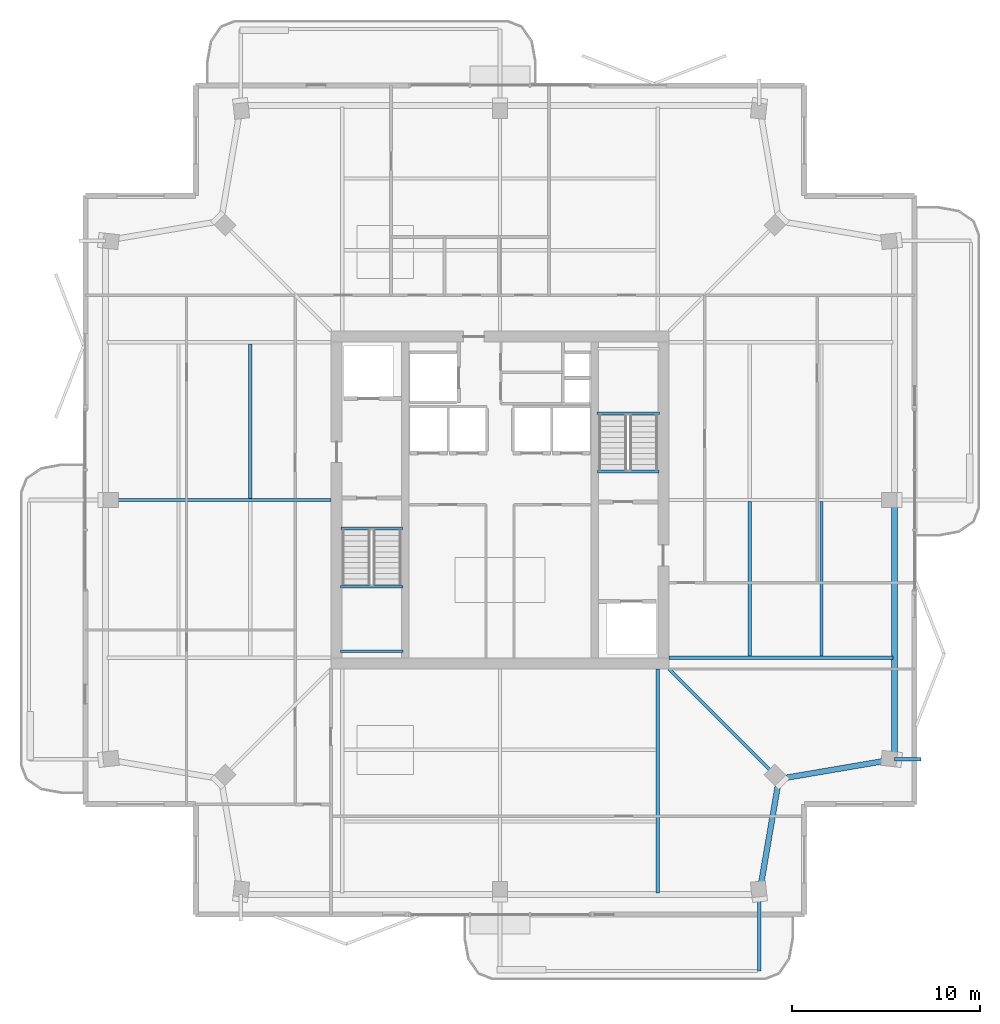
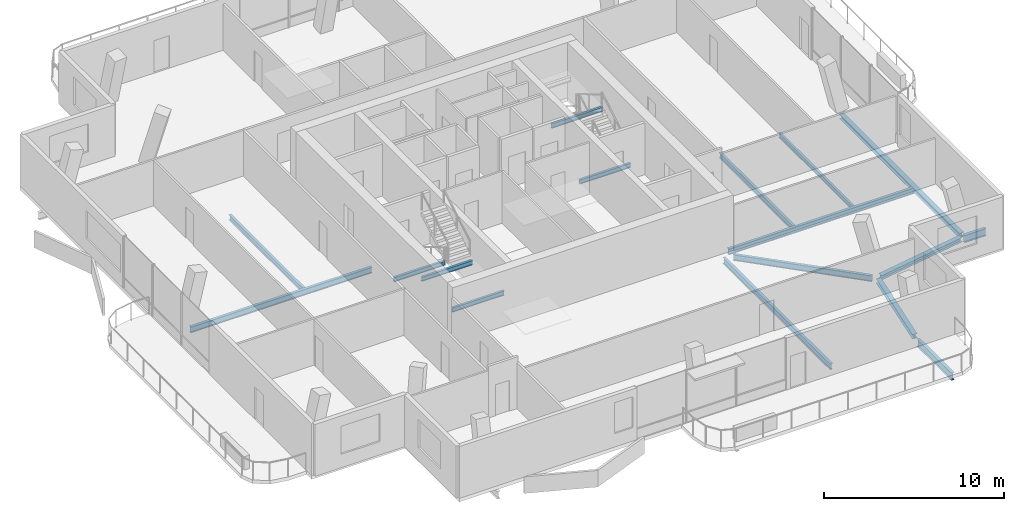
# One storey, part 7 of 19: 17 beams.
"""IFC4 building model written with IfcOpenShell, lengths in metres."""

from ifc_helpers import new_model, si_unit, direction, frame, origin, origin_2d, place, context, subcontext, project, spatial, i_section, extrude, material, material_profile, profile_set, type_object, element, save


model = new_model("IFC4")

# Units and contexts
model_context = context("Model", 3, precision=1e-05, world=origin(), true_north=direction((0.0, 1.0)))
body_context = subcontext(model_context, "Body", "Model", "MODEL_VIEW")
ifc_project = project(units=[si_unit("LENGTHUNIT", "METRE"), si_unit("AREAUNIT", "SQUARE_METRE"), si_unit("VOLUMEUNIT", "CUBIC_METRE"), si_unit("PLANEANGLEUNIT", "RADIAN"), si_unit("MASSUNIT", "GRAM", prefix="KILO")], contexts=[model_context])

# Site, building, storey
site_placement = place(None, origin())
site = spatial("IfcSite", under=ifc_project, at=site_placement, CompositionType="ELEMENT")
building_placement = place(site_placement, origin())
building = spatial("IfcBuilding", under=site, at=building_placement, Name="Belovzor Exchange Tower", CompositionType="ELEMENT")
storey_placement = place(building_placement, frame((0.0, 0.0, 340.5)))
storey = spatial("IfcBuildingStorey", under=building, at=storey_placement, Name="L85", CompositionType="ELEMENT", Elevation=340.5)

# Beams
ifc_material_1 = material(Name="Steel S355", Category="steel")
ifc_material_profile_1 = material_profile(ifc_material_1, i_section(OverallWidth=0.199951171875, OverallDepth=0.5, WebThickness=0.01025390625, FlangeThickness=0.01611328125, at=origin_2d()))
ifc_profile_set_1 = profile_set([ifc_material_profile_1], Name="Steel S355")
beam_type_1 = type_object("IfcBeamType", Name="Planted Balcony Cantilever Beam IPE 500", PredefinedType="BEAM", material=ifc_profile_set_1)
beam_1_placement = place(storey_placement, frame((42.60009765625, 7.580078125, -0.489990234375), z_axis=(0.0, -1.0, 0.0), x_axis=(1.0, 0.0, 0.0)))
element("IfcBeam", 1, at=beam_1_placement, inside=storey, type_object=beam_type_1, Name="BC-500 Planted Balcony Cantilever Beam IPE 500", PredefinedType="BEAM", context=body_context, shape_type="SweptSolid", body=[
    extrude(i_section(OverallWidth=0.199951171875, OverallDepth=0.5, WebThickness=0.01025390625, FlangeThickness=0.01611328125, at=origin_2d()), origin(), (0.0, 0.0, 1.0), 3.85009765625),
])
beam_2_placement = place(storey_placement, frame((49.800048828125, 15.0, -0.489990234375), z_axis=(1.0, 0.0, 0.0), x_axis=(0.0, 1.0, 0.0)))
element("IfcBeam", 2, at=beam_2_placement, inside=storey, type_object=beam_type_1, Name="BC-500 Planted Balcony Cantilever Beam IPE 500", PredefinedType="BEAM", context=body_context, shape_type="SweptSolid", body=[
    extrude(i_section(OverallWidth=0.199951171875, OverallDepth=0.5, WebThickness=0.01025390625, FlangeThickness=0.01611328125, at=origin_2d()), origin(), (0.0, 0.0, 1.0), 1.39990234375),
])
ifc_material_2 = material(Name="Steel S355", Category="steel")
ifc_material_profile_2 = material_profile(ifc_material_2, i_section(OverallWidth=0.169921875, OverallDepth=0.360107421875, WebThickness=0.008056640625, FlangeThickness=0.0126953125, at=origin_2d()))
ifc_profile_set_2 = profile_set([ifc_material_profile_2], Name="Steel S355")
beam_type_2 = type_object("IfcBeamType", Name="Secondary Infill Floor Joist IPE 360", PredefinedType="BEAM", material=ifc_profile_set_2)
beam_3_placement = place(storey_placement, frame((15.507080078125, 28.889892578125, -0.419921875), z_axis=(0.0, 1.0, 0.0), x_axis=(-1.0, 0.0, 0.0)))
element("IfcBeam", 3, at=beam_3_placement, inside=storey, type_object=beam_type_2, Name="FJ-360 Secondary Infill Floor Joist IPE 360", PredefinedType="BEAM", context=body_context, shape_type="SweptSolid", body=[
    extrude(i_section(OverallWidth=0.169921875, OverallDepth=0.360107421875, WebThickness=0.008056640625, FlangeThickness=0.0126953125, at=origin_2d()), origin(), (0.0, 0.0, 1.0), 8.22021484375),
])
beam_4_placement = place(storey_placement, frame((42.093017578125, 20.489990234375, -0.419921875), z_axis=(0.0, 1.0, 0.0), x_axis=(-1.0, 0.0, 0.0)))
element("IfcBeam", 4, at=beam_4_placement, inside=storey, type_object=beam_type_2, Name="FJ-360 Secondary Infill Floor Joist IPE 360", PredefinedType="BEAM", context=body_context, shape_type="SweptSolid", body=[
    extrude(i_section(OverallWidth=0.169921875, OverallDepth=0.360107421875, WebThickness=0.008056640625, FlangeThickness=0.0126953125, at=origin_2d()), origin(), (0.0, 0.0, 1.0), 8.219970703125),
])
ifc_material_3 = material(Name="Steel S355", Category="steel")
ifc_material_profile_3 = material_profile(ifc_material_3, i_section(OverallWidth=0.14990234375, OverallDepth=0.300048828125, WebThickness=0.007080078125, FlangeThickness=0.0107421875, at=origin_2d()))
ifc_profile_set_3 = profile_set([ifc_material_profile_3], Name="Steel S355")
beam_type_3 = type_object("IfcBeamType", Name="Secondary Trim Floor Joist IPE 300", PredefinedType="BEAM", material=ifc_profile_set_3)
for number, where, z_axis, x_axis, name in (
    (5, (20.320068359375, 24.179931640625, 1.52490234375), (1.0, 0.0, 0.0), (0.0, 1.0, 0.0), "FJ-300 Secondary Trim Floor Joist IPE 300"),
    (6, (20.320068359375, 20.75, 1.52490234375), (1.0, 0.0, 0.0), (0.0, 1.0, 0.0), "FJ-300 Secondary Trim Floor Joist IPE 300"),
):
    element("IfcBeam", number, at=place(storey_placement, frame(where, z_axis=z_axis, x_axis=x_axis)), inside=storey, type_object=beam_type_3, Name=name, PredefinedType="BEAM", context=body_context, shape_type="SweptSolid", body=[
        extrude(i_section(OverallWidth=0.14990234375, OverallDepth=0.300048828125, WebThickness=0.007080078125, FlangeThickness=0.0107421875, at=origin_2d()), origin(), (0.0, 0.0, 1.0), 3.309814453125),
    ])
beam_5_placement = place(storey_placement, frame((20.340087890625, 27.280029296875, -0.389892578125), z_axis=(1.0, 0.0, 0.0), x_axis=(0.0, 1.0, 0.0)))
element("IfcBeam", 7, at=beam_5_placement, inside=storey, type_object=beam_type_3, Name="FJ-300 Secondary Trim Floor Joist IPE 300", PredefinedType="BEAM", context=body_context, shape_type="SweptSolid", body=[
    extrude(i_section(OverallWidth=0.14990234375, OverallDepth=0.300048828125, WebThickness=0.007080078125, FlangeThickness=0.0107421875, at=origin_2d()), origin(), (0.0, 0.0, 1.0), 3.27001953125),
])
beam_6_placement = place(storey_placement, frame((37.280029296875, 33.419921875, 1.52490234375), z_axis=(-1.0, 0.0, 0.0), x_axis=(0.0, -1.0, 0.0)))
element("IfcBeam", 8, at=beam_6_placement, inside=storey, type_object=beam_type_3, Name="FJ-300 Secondary Trim Floor Joist IPE 300", PredefinedType="BEAM", context=body_context, shape_type="SweptSolid", body=[
    extrude(i_section(OverallWidth=0.14990234375, OverallDepth=0.300048828125, WebThickness=0.007080078125, FlangeThickness=0.0107421875, at=origin_2d()), origin(), (0.0, 0.0, 1.0), 3.31005859375),
])
beam_7_placement = place(storey_placement, frame((37.260009765625, 30.320068359375, -0.389892578125), z_axis=(-1.0, 0.0, 0.0), x_axis=(0.0, -1.0, 0.0)))
element("IfcBeam", 9, at=beam_7_placement, inside=storey, type_object=beam_type_3, Name="FJ-300 Secondary Trim Floor Joist IPE 300", PredefinedType="BEAM", context=body_context, shape_type="SweptSolid", body=[
    extrude(i_section(OverallWidth=0.14990234375, OverallDepth=0.300048828125, WebThickness=0.007080078125, FlangeThickness=0.0107421875, at=origin_2d()), origin(), (0.0, 0.0, 1.0), 3.27001953125),
])
beam_8_placement = place(storey_placement, frame((45.908935546875, 20.489990234375, -0.389892578125), z_axis=(0.0, 1.0, 0.0), x_axis=(-1.0, 0.0, 0.0)))
element("IfcBeam", 10, at=beam_8_placement, inside=storey, type_object=beam_type_3, Name="FJ-300 Secondary Trim Floor Joist IPE 300", PredefinedType="BEAM", context=body_context, shape_type="SweptSolid", body=[
    extrude(i_section(OverallWidth=0.14990234375, OverallDepth=0.300048828125, WebThickness=0.007080078125, FlangeThickness=0.0107421875, at=origin_2d()), origin(), (0.0, 0.0, 1.0), 8.219970703125),
])
ifc_material_4 = material(Name="Steel S355", Category="steel")
ifc_material_profile_4 = material_profile(ifc_material_4, i_section(OverallWidth=0.179931640625, OverallDepth=0.39990234375, WebThickness=0.008544921875, FlangeThickness=0.013427734375, at=origin_2d()))
ifc_profile_set_4 = profile_set([ifc_material_profile_4], Name="Steel S355")
beam_type_4 = type_object("IfcBeamType", Name="Zone 5-6 Radial Composite Floor Beam IPE 400", PredefinedType="BEAM", material=ifc_profile_set_4)
beam_9_placement = place(storey_placement, frame((37.199951171875, 19.800048828125, -0.43994140625), z_axis=(0.0, -1.0, 0.0), x_axis=(1.0, 0.0, 0.0)))
element("IfcBeam", 11, at=beam_9_placement, inside=storey, type_object=beam_type_4, Name="FB-400 Zone 5-6 Radial Composite Floor Beam IPE 400", PredefinedType="BEAM", context=body_context, shape_type="SweptSolid", body=[
    extrude(i_section(OverallWidth=0.179931640625, OverallDepth=0.39990234375, WebThickness=0.008544921875, FlangeThickness=0.013427734375, at=origin_2d()), origin(), (0.0, 0.0, 1.0), 11.925048828125),
])
beam_10_placement = place(storey_placement, frame((19.800048828125, 28.800048828125, -0.43994140625), z_axis=(-1.0, 0.0, 0.0), x_axis=(0.0, -1.0, 0.0)))
element("IfcBeam", 12, at=beam_10_placement, inside=storey, type_object=beam_type_4, Name="FB-400 Zone 5-6 Radial Composite Floor Beam IPE 400", PredefinedType="BEAM", context=body_context, shape_type="SweptSolid", body=[
    extrude(i_section(OverallWidth=0.179931640625, OverallDepth=0.39990234375, WebThickness=0.008544921875, FlangeThickness=0.013427734375, at=origin_2d()), origin(), (0.0, 0.0, 1.0), 11.64794921875),
])
beam_11_placement = place(storey_placement, frame((37.800048828125, 20.39990234375, -0.43994140625), z_axis=(1.0, 0.0, 0.0), x_axis=(0.0, 1.0, 0.0)))
element("IfcBeam", 13, at=beam_11_placement, inside=storey, type_object=beam_type_4, Name="FB-400 Zone 5-6 Radial Composite Floor Beam IPE 400", PredefinedType="BEAM", context=body_context, shape_type="SweptSolid", body=[
    extrude(i_section(OverallWidth=0.179931640625, OverallDepth=0.39990234375, WebThickness=0.008544921875, FlangeThickness=0.013427734375, at=origin_2d()), origin(), (0.0, 0.0, 1.0), 11.925048828125),
])
beam_12_placement = place(storey_placement, frame((37.800048828125, 19.800048828125, -0.43994140625), z_axis=(0.707091503787, -0.707122058256, 0.0), x_axis=(0.707122058256, 0.707091503787, 0.0)))
element("IfcBeam", 14, at=beam_12_placement, inside=storey, type_object=beam_type_4, Name="FB-400 Zone 5-6 Radial Composite Floor Beam IPE 400", PredefinedType="BEAM", context=body_context, shape_type="SweptSolid", body=[
    extrude(i_section(OverallWidth=0.179931640625, OverallDepth=0.39990234375, WebThickness=0.008544921875, FlangeThickness=0.013427734375, at=origin_2d()), origin(), (0.0, 0.0, 1.0), 7.990234375),
])
ifc_material_5 = material(Name="Steel S355", Category="steel")
ifc_material_profile_5 = material_profile(ifc_material_5, i_section(OverallWidth=0.300048828125, OverallDepth=0.300048828125, WebThickness=0.008544921875, FlangeThickness=0.013916015625, at=origin_2d()))
ifc_profile_set_5 = profile_set([ifc_material_profile_5], Name="Steel S355")
beam_type_5 = type_object("IfcBeamType", Name="Zone 6 Primary Girder HEA 300", PredefinedType="BEAM", material=ifc_profile_set_5)
beam_13_placement = place(storey_placement, frame((42.636962890625, 8.01708984375, -0.389892578125), z_axis=(0.168330389085, 0.985730632633, 0.0), x_axis=(-0.985730632633, 0.168330389085, 0.0)))
element("IfcBeam", 15, at=beam_13_placement, inside=storey, type_object=beam_type_5, Name="FG-Z6 Zone 6 Primary Girder HEA 300", PredefinedType="BEAM", context=body_context, shape_type="SweptSolid", body=[
    extrude(i_section(OverallWidth=0.300048828125, OverallDepth=0.300048828125, WebThickness=0.008544921875, FlangeThickness=0.013916015625, at=origin_2d()), origin(), (0.0, 0.0, 1.0), 5.798583984375),
])
beam_14_placement = place(storey_placement, frame((43.866943359375, 13.987060546875, -0.389892578125), z_axis=(0.985738810392, 0.168282493706, 0.0), x_axis=(-0.168282493706, 0.985738810392, 0.0)))
element("IfcBeam", 16, at=beam_14_placement, inside=storey, type_object=beam_type_5, Name="FG-Z6 Zone 6 Primary Girder HEA 300", PredefinedType="BEAM", context=body_context, shape_type="SweptSolid", body=[
    extrude(i_section(OverallWidth=0.300048828125, OverallDepth=0.300048828125, WebThickness=0.008544921875, FlangeThickness=0.013916015625, at=origin_2d()), origin(), (0.0, 0.0, 1.0), 5.798828125),
])
beam_15_placement = place(storey_placement, frame((49.800048828125, 15.219970703125, -0.389892578125), z_axis=(0.0, 1.0, 0.0), x_axis=(-1.0, 0.0, 0.0)))
element("IfcBeam", 17, at=beam_15_placement, inside=storey, type_object=beam_type_5, Name="FG-Z6 Zone 6 Primary Girder HEA 300", PredefinedType="BEAM", context=body_context, shape_type="SweptSolid", body=[
    extrude(i_section(OverallWidth=0.300048828125, OverallDepth=0.300048828125, WebThickness=0.008544921875, FlangeThickness=0.013916015625, at=origin_2d()), origin(), (0.0, 0.0, 1.0), 13.360107421875),
])

save(model, "model.ifc")
